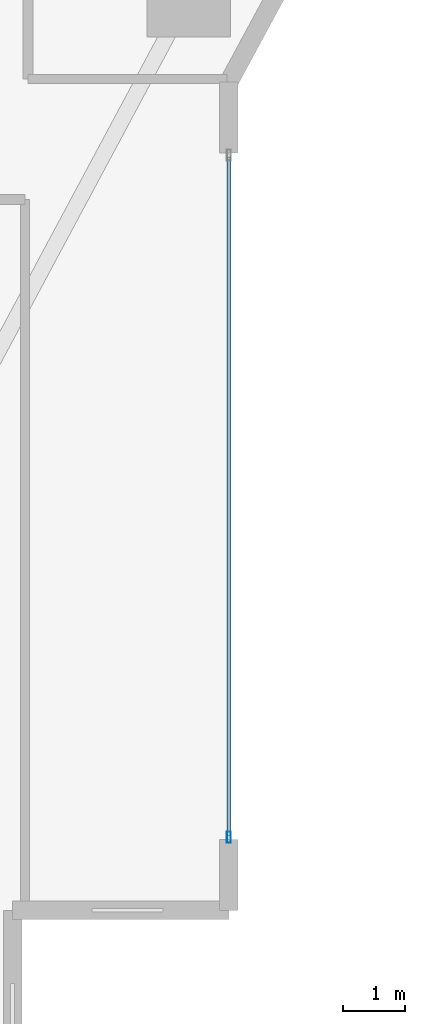
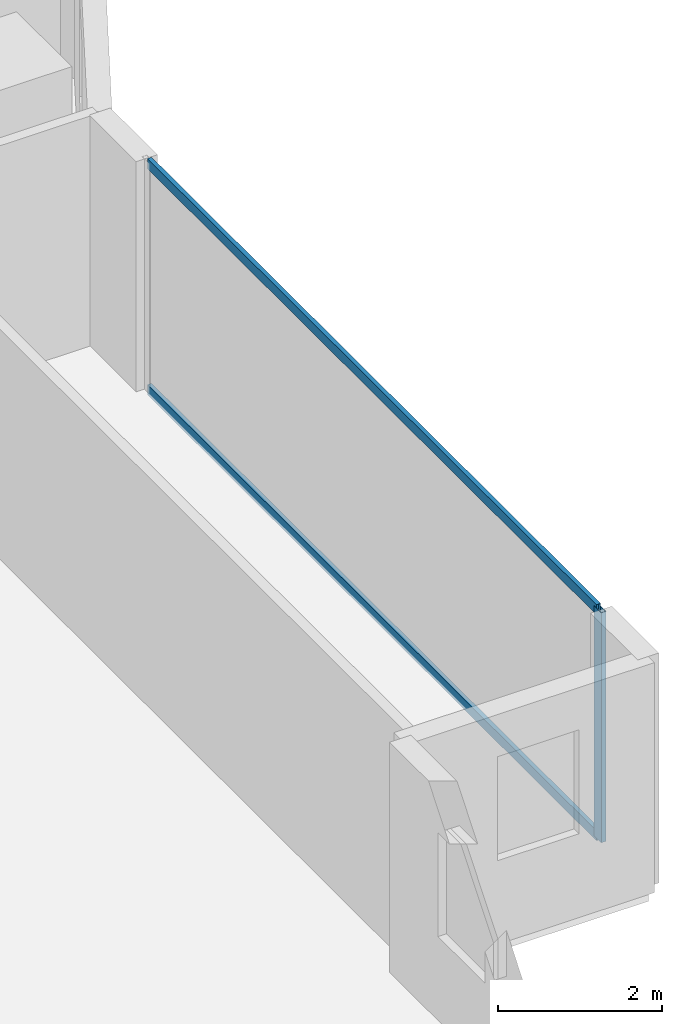
# One storey, part 11 of 28: 3 members, 1 element without a shape of its own.
"""IFC4 building model written with IfcOpenShell, lengths in metres."""

from ifc_helpers import new_model, si_unit, direction, frame, origin, origin_2d, place, context, subcontext, project, spatial, hollow_rectangle, extrude, material, layer, layer_set, material_profile, profile_set, type_object, element, aggregate, save


model = new_model("IFC4")

# Units and contexts
model_context = context("Model", 3, precision=1e-05, world=origin(), true_north=direction((0.0, 1.0)))
body_context = subcontext(model_context, "Body", "Model", "MODEL_VIEW")
ifc_project = project(units=[si_unit("LENGTHUNIT", "METRE"), si_unit("AREAUNIT", "SQUARE_METRE"), si_unit("VOLUMEUNIT", "CUBIC_METRE"), si_unit("PLANEANGLEUNIT", "RADIAN"), si_unit("MASSUNIT", "GRAM", prefix="KILO")], contexts=[model_context])

# Site, building, storey
site_placement = place(None, origin())
site = spatial("IfcSite", under=ifc_project, at=site_placement, CompositionType="ELEMENT")
building_placement = place(site_placement, origin())
building = spatial("IfcBuilding", under=site, at=building_placement, Name="Zuhayl Quay Hotel", CompositionType="ELEMENT")
storey_placement = place(building_placement, frame((0.0, 0.0, 121.199951171875)))
storey = spatial("IfcBuildingStorey", under=building, at=storey_placement, Name="L30", CompositionType="ELEMENT", Elevation=121.199951171875)

# Curtain wall, members
ifc_material_1 = material(Name="Anodised Aluminium 6063-T6", Category="aluminium")
ifc_layer = layer(ifc_material_1, 0.179931640625, Name="Anodised Aluminium 6063-T6", Category="aluminium")
ifc_layer_set = layer_set([ifc_layer], Name="Anodised Aluminium 6063-T6")
curtain_wall_type = type_object("IfcCurtainWallType", Name="CW_SYS_Z2", PredefinedType="USERDEFINED", material=ifc_layer_set)
curtain_wall_placement = place(storey_placement, origin())
curtain_wall = element("IfcCurtainWall", 1, at=curtain_wall_placement, inside=storey, type_object=curtain_wall_type, Name="L30 Curtain Wall ENV_L30_E14_CW1", ObjectType="UNITISED CURTAIN WALL", PredefinedType="USERDEFINED")
ifc_material_2 = material(Name="Black-anodised aluminium 6063-T6", Category="aluminium")
ifc_material_profile_1 = material_profile(ifc_material_2, hollow_rectangle(XDim=0.06494140625, YDim=0.179931640625, WallThickness=0.00341796875, at=origin_2d()), Name="ALU180X65")
ifc_profile_set_1 = profile_set([ifc_material_profile_1], Name="Black-anodised aluminium 6063-T6")
member_type_1 = type_object("IfcMemberType", Name="MB_CW_MUL_180", PredefinedType="MULLION", material=ifc_profile_set_1)
member_1_placement = place(storey_placement, frame((23.89990234375, -10.717529296875, 0.0), z_axis=(0.0, 0.0, 1.0), x_axis=(1.0, 0.0, 0.0)))
member_1 = element("IfcMember", 2, at=member_1_placement, type_object=member_type_1, Name="CW-Z2 mullion 2", PredefinedType="MULLION", context=body_context, shape_type="SweptSolid", body=[
    extrude(hollow_rectangle(XDim=0.06494140625, YDim=0.179931640625, WallThickness=0.00341796875, at=origin_2d()), origin(), (0.0, 0.0, 1.0), 3.429931640625),
])
ifc_material_profile_2 = material_profile(ifc_material_2, hollow_rectangle(XDim=0.06005859375, YDim=0.14990234375, WallThickness=0.00341796875, at=origin_2d()), Name="ALU150X60")
ifc_profile_set_2 = profile_set([ifc_material_profile_2], Name="Black-anodised aluminium 6063-T6")
member_type_2 = type_object("IfcMemberType", Name="MB_CW_TRN_150", PredefinedType="USERDEFINED", material=ifc_profile_set_2)
member_2_placement = place(storey_placement, frame((23.89990234375, 0.284912109375, 0.030029296875), z_axis=(0.0, -1.0, 0.0), x_axis=(1.0, 0.0, 0.0)))
member_2 = element("IfcMember", 3, at=member_2_placement, type_object=member_type_2, Name="CW-Z2 transom 1.1", ObjectType="TRANSOM", PredefinedType="USERDEFINED", context=body_context, shape_type="SweptSolid", body=[
    extrude(hollow_rectangle(XDim=0.06005859375, YDim=0.14990234375, WallThickness=0.00341796875, at=origin_2d()), origin(), (0.0, 0.0, 1.0), 10.969970703125),
])
member_3_placement = place(storey_placement, frame((23.89990234375, 0.284912109375, 3.400146484375), z_axis=(0.0, -1.0, 0.0), x_axis=(1.0, 0.0, 0.0)))
member_3 = element("IfcMember", 4, at=member_3_placement, type_object=member_type_2, Name="CW-Z2 transom 1.2", ObjectType="TRANSOM", PredefinedType="USERDEFINED", context=body_context, shape_type="SweptSolid", body=[
    extrude(hollow_rectangle(XDim=0.06005859375, YDim=0.14990234375, WallThickness=0.00341796875, at=origin_2d()), origin(), (0.0, 0.0, 1.0), 10.969970703125),
])
aggregate(curtain_wall, [member_1, member_2, member_3])

save(model, "model.ifc")
